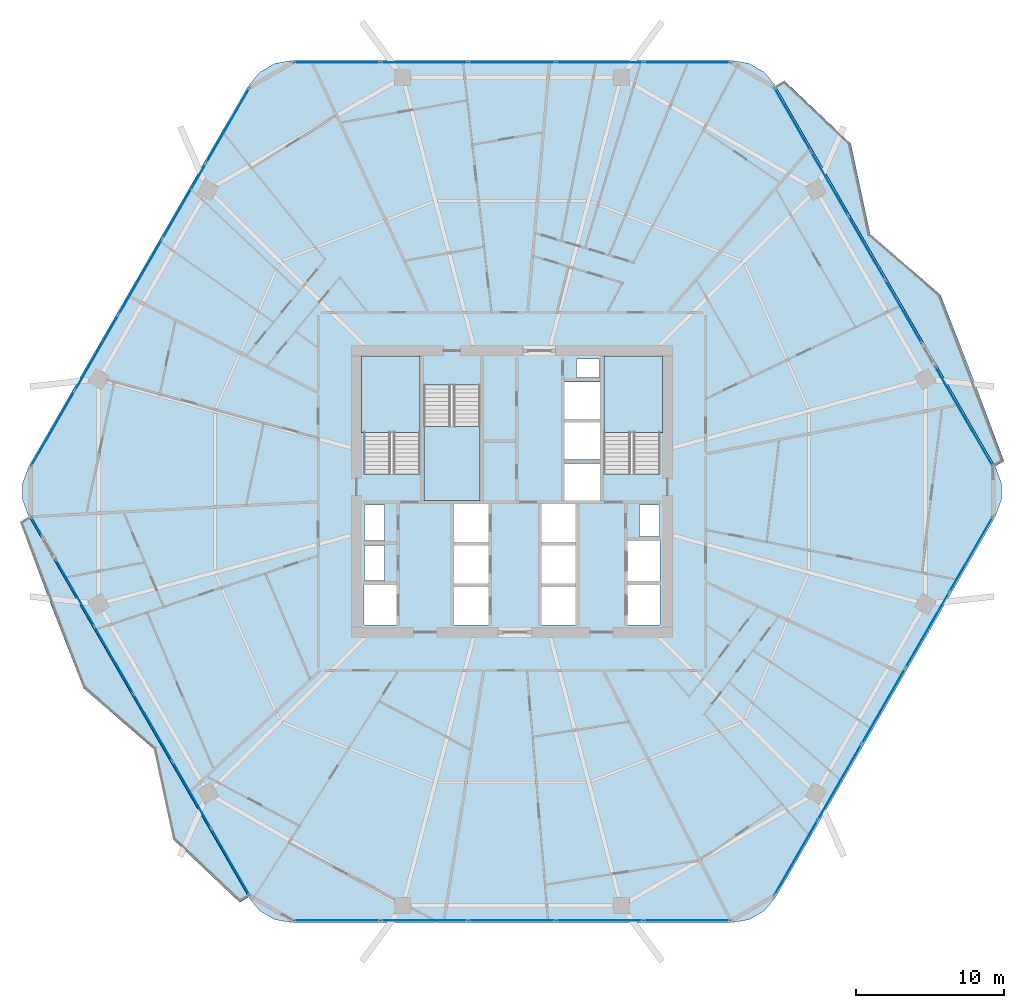
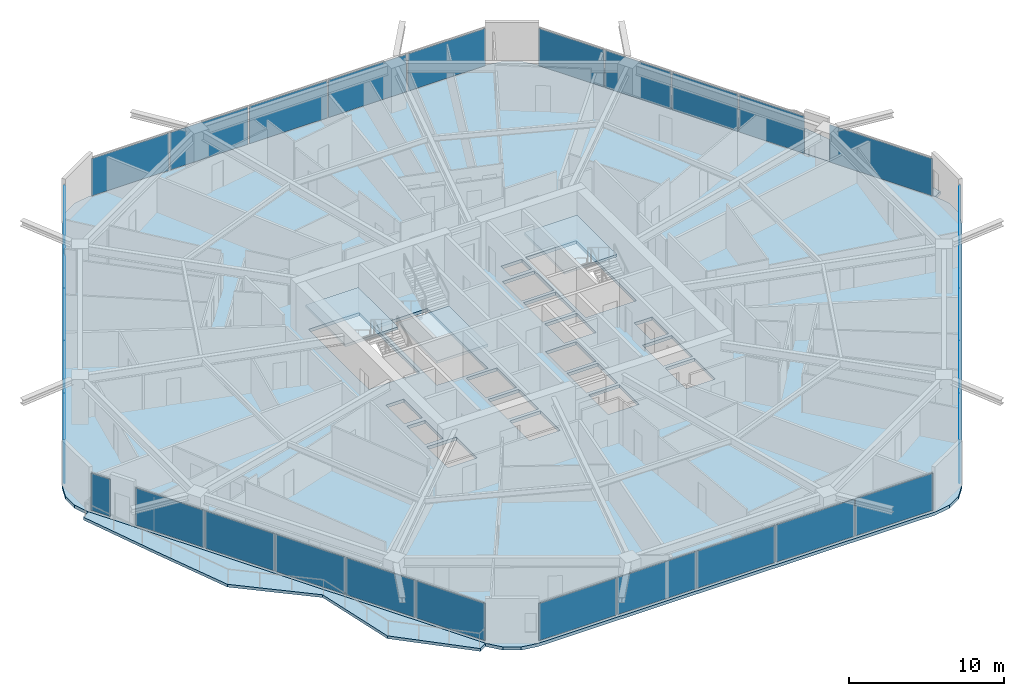
# One storey, part 20 of 29: 31 plates, 6 slabs, 11 elements without a shape of their own.
"""IFC4 building model written with IfcOpenShell, lengths in metres."""

from ifc_helpers import new_model, si_unit, direction, frame, origin, origin_2d, place, context, subcontext, project, spatial, polyline, rectangle, outline, extrude, material, layer, layer_set, type_object, element, aggregate, save


model = new_model("IFC4")

# Units and contexts
model_context = context("Model", 3, precision=1e-05, world=origin(), true_north=direction((0.0, 1.0)))
body_context = subcontext(model_context, "Body", "Model", "MODEL_VIEW")
ifc_project = project(units=[si_unit("LENGTHUNIT", "METRE"), si_unit("AREAUNIT", "SQUARE_METRE"), si_unit("VOLUMEUNIT", "CUBIC_METRE"), si_unit("PLANEANGLEUNIT", "RADIAN"), si_unit("MASSUNIT", "GRAM", prefix="KILO")], contexts=[model_context])

# Site, building, storey
site_placement = place(None, origin())
site = spatial("IfcSite", under=ifc_project, at=site_placement, CompositionType="ELEMENT")
building_placement = place(site_placement, origin())
building = spatial("IfcBuilding", under=site, at=building_placement, Name="Zuhravey Tower", CompositionType="ELEMENT")
storey_placement = place(building_placement, frame((0.0, 0.0, 134.199951171875)))
storey = spatial("IfcBuildingStorey", under=building, at=storey_placement, Name="L33", CompositionType="ELEMENT", Elevation=134.199951171875)

# Slabs
ifc_material_1 = material(Name="Concrete C50/60", Category="concrete")
ifc_layer_1 = layer(ifc_material_1, 0.25)
ifc_layer_set_1 = layer_set([ifc_layer_1], Name="Concrete C50/60")
slab_type_1 = type_object("IfcSlabType", Name="Residential Acoustic Slab 250", PredefinedType="FLOOR", material=ifc_layer_set_1)
slab_1_placement = place(storey_placement, frame((0.0, 0.0, -0.25)))
element("IfcSlab", 1, at=slab_1_placement, inside=storey, type_object=slab_type_1, Name="L33 Floor Slab FS25", PredefinedType="FLOOR", context=body_context, shape_type="SweptSolid", body=[
    extrude(outline(polyline([(68.618408203125, 30.300048828125), (69.0224609375, 31.40966796875), (69.0224609375, 32.59033203125), (68.618408203125, 33.699951171875), (53.781494140625, 59.3984375), (53.0224609375, 60.302978515625), (52.0, 60.893310546875), (50.8369140625, 61.098388671875), (21.1630859375, 61.098388671875), (20.0, 60.893310546875), (18.9775390625, 60.302978515625), (18.218505859375, 59.3984375), (3.381591796875, 33.699951171875), (2.9775390625, 32.59033203125), (2.9775390625, 31.40966796875), (3.381591796875, 30.300048828125), (18.218505859375, 4.6015625), (18.9775390625, 3.697021484375), (20.0, 3.106689453125), (21.1630859375, 2.901611328125), (50.8369140625, 2.901611328125), (52.0, 3.106689453125), (53.0224609375, 3.697021484375), (53.781494140625, 4.6015625), (68.618408203125, 30.300048828125)]), holes=[polyline([(29.800048828125, 33.20068359375), (29.800048828125, 41.0), (26.0, 41.0), (26.0, 33.20068359375), (29.800048828125, 33.20068359375)]), polyline([(46.0, 33.20068359375), (46.0, 41.0), (42.199951171875, 41.0), (42.199951171875, 33.20068359375), (46.0, 33.20068359375)]), polyline([(30.050048828125, 39.199462890625), (30.050048828125, 31.39990234375), (33.85009765625, 31.39990234375), (33.85009765625, 39.199462890625), (30.050048828125, 39.199462890625)]), polyline([(32.10009765625, 23.0), (34.39990234375, 23.0), (34.39990234375, 25.550048828125), (32.10009765625, 25.550048828125), (32.10009765625, 23.0)]), polyline([(32.10009765625, 25.800048828125), (34.39990234375, 25.800048828125), (34.39990234375, 28.35009765625), (32.10009765625, 28.35009765625), (32.10009765625, 25.800048828125)]), polyline([(32.10009765625, 28.60009765625), (34.39990234375, 28.60009765625), (34.39990234375, 31.14990234375), (32.10009765625, 31.14990234375), (32.10009765625, 28.60009765625)]), polyline([(38.0, 23.0), (40.300048828125, 23.0), (40.300048828125, 25.550048828125), (38.0, 25.550048828125), (38.0, 23.0)]), polyline([(38.0, 25.800048828125), (40.300048828125, 25.800048828125), (40.300048828125, 28.35009765625), (38.0, 28.35009765625), (38.0, 25.800048828125)]), polyline([(38.0, 28.60009765625), (40.300048828125, 28.60009765625), (40.300048828125, 31.14990234375), (38.0, 31.14990234375), (38.0, 28.60009765625)]), polyline([(39.550048828125, 31.39990234375), (41.949951171875, 31.39990234375), (41.949951171875, 33.89990234375), (39.550048828125, 33.89990234375), (39.550048828125, 31.39990234375)]), polyline([(39.550048828125, 34.14990234375), (41.949951171875, 34.14990234375), (41.949951171875, 36.64990234375), (39.550048828125, 36.64990234375), (39.550048828125, 34.14990234375)]), polyline([(39.550048828125, 36.89990234375), (41.949951171875, 36.89990234375), (41.949951171875, 39.39990234375), (39.550048828125, 39.39990234375), (39.550048828125, 36.89990234375)]), polyline([(26.0, 23.0), (28.199951171875, 23.0), (28.199951171875, 25.699951171875), (26.0, 25.699951171875), (26.0, 23.0)]), polyline([(43.800048828125, 23.0), (46.0, 23.0), (46.0, 25.699951171875), (43.800048828125, 25.699951171875), (43.800048828125, 23.0)]), polyline([(43.800048828125, 25.949951171875), (46.0, 25.949951171875), (46.0, 28.64990234375), (43.800048828125, 28.64990234375), (43.800048828125, 25.949951171875)]), polyline([(26.050048828125, 26.0), (27.39990234375, 26.0), (27.39990234375, 28.35009765625), (26.050048828125, 28.35009765625), (26.050048828125, 26.0)]), polyline([(26.050048828125, 28.699951171875), (27.39990234375, 28.699951171875), (27.39990234375, 31.10009765625), (26.050048828125, 31.10009765625), (26.050048828125, 28.699951171875)]), polyline([(44.60009765625, 28.949951171875), (45.949951171875, 28.949951171875), (45.949951171875, 31.10009765625), (44.60009765625, 31.10009765625), (44.60009765625, 28.949951171875)]), polyline([(40.35009765625, 39.699951171875), (41.89990234375, 39.699951171875), (41.89990234375, 40.949951171875), (40.35009765625, 40.949951171875), (40.35009765625, 39.699951171875)])]), origin(), (0.0, 0.0, 1.0), 0.25),
])
ifc_material_2 = material(Name="Concrete C40/50", Category="concrete")
ifc_layer_2 = layer(ifc_material_2, 0.219970703125)
ifc_layer_set_2 = layer_set([ifc_layer_2], Name="Concrete C40/50")
slab_type_2 = type_object("IfcSlabType", Name="Sinusoidal Residential Wave Balcony 220", PredefinedType="FLOOR", material=ifc_layer_set_2)
slab_2_placement = place(storey_placement, frame((0.0, 0.0, -0.219970703125)))
element("IfcSlab", 2, at=slab_2_placement, inside=storey, type_object=slab_type_2, Name="L33 Face 4 Wave Balcony WB22", PredefinedType="FLOOR", context=body_context, shape_type="SweptSolid", body=[
    extrude(outline(polyline([(3.398681640625, 30.300048828125), (18.227294921875, 4.616455078125), (17.62109375, 4.2666015625), (13.13134765625, 8.523193359375), (11.82470703125, 14.617919921875), (7.080078125, 18.7275390625), (4.902587890625, 24.319091796875), (2.79248046875, 29.949951171875), (3.398681640625, 30.300048828125)])), origin(), (0.0, 0.0, 1.0), 0.219970703125),
])
slab_3_placement = place(storey_placement, frame((0.0, 0.0, -0.219970703125)))
element("IfcSlab", 3, at=slab_3_placement, inside=storey, type_object=slab_type_2, Name="L33 Face 1 Wave Balcony WB22", PredefinedType="FLOOR", context=body_context, shape_type="SweptSolid", body=[
    extrude(outline(polyline([(68.601318359375, 33.699951171875), (53.772705078125, 59.383544921875), (54.37890625, 59.7333984375), (58.86865234375, 55.476806640625), (60.17529296875, 49.382080078125), (64.919921875, 45.2724609375), (67.097412109375, 39.680908203125), (69.20751953125, 34.050048828125), (68.601318359375, 33.699951171875)])), origin(), (0.0, 0.0, 1.0), 0.219970703125),
])

# Stair, slab
stair_type = type_object("IfcStairType", Name="Housing Storey Stair Assembly 3800", PredefinedType="HALF_TURN_STAIR", material=ifc_material_2)
stair_1_placement = place(storey_placement, origin())
stair_1 = element("IfcStair", 4, at=stair_1_placement, inside=storey, type_object=stair_type, Name="L33 Core Exit Stair ST1", PredefinedType="HALF_TURN_STAIR")
ifc_layer_3 = layer(ifc_material_2, 0.199951171875)
ifc_layer_set_3 = layer_set([ifc_layer_3], Name="Concrete C40/50")
slab_type_3 = type_object("IfcSlabType", Name="Stair Landing Slab 200", PredefinedType="LANDING", material=ifc_layer_set_3)
slab_4_placement = place(storey_placement, frame((0.0, 0.0, 1.699951171875)))
slab_4 = element("IfcSlab", 5, at=slab_4_placement, type_object=slab_type_3, Name="ST1 landing 1", PredefinedType="LANDING", context=body_context, shape_type="SweptSolid", body=[
    extrude(outline(polyline([(29.800048828125, 36.0), (29.800048828125, 41.14794921875), (25.85205078125, 41.14794921875), (25.85205078125, 36.0), (29.800048828125, 36.0)])), origin(), (0.0, 0.0, 1.0), 0.2001953125),
])
aggregate(stair_1, [slab_4])

stair_2_placement = place(storey_placement, origin())
stair_2 = element("IfcStair", 6, at=stair_2_placement, inside=storey, type_object=stair_type, Name="L33 Core Exit Stair ST2", PredefinedType="HALF_TURN_STAIR")
slab_5_placement = place(storey_placement, frame((0.0, 0.0, 1.699951171875)))
slab_5 = element("IfcSlab", 7, at=slab_5_placement, type_object=slab_type_3, Name="ST2 landing 1", PredefinedType="LANDING", context=body_context, shape_type="SweptSolid", body=[
    extrude(outline(polyline([(46.14794921875, 36.0), (46.14794921875, 41.14794921875), (42.199951171875, 41.14794921875), (42.199951171875, 36.0), (46.14794921875, 36.0)])), origin(), (0.0, 0.0, 1.0), 0.2001953125),
])
aggregate(stair_2, [slab_5])

stair_3_placement = place(storey_placement, origin())
stair_3 = element("IfcStair", 8, at=stair_3_placement, inside=storey, type_object=stair_type, Name="L33 Core Exit Stair ST3", PredefinedType="HALF_TURN_STAIR")
slab_6_placement = place(storey_placement, frame((0.0, 0.0, 1.699951171875)))
slab_6 = element("IfcSlab", 9, at=slab_6_placement, type_object=slab_type_3, Name="ST3 landing 1", PredefinedType="LANDING", context=body_context, shape_type="SweptSolid", body=[
    extrude(outline(polyline([(30.050048828125, 36.39990234375), (30.050048828125, 31.39990234375), (33.85009765625, 31.39990234375), (33.85009765625, 36.39990234375), (30.050048828125, 36.39990234375)])), origin(), (0.0, 0.0, 1.0), 0.2001953125),
])
aggregate(stair_3, [slab_6])

# Curtain wall, plates
ifc_material_3 = material(Name="Thermally broken anodised aluminium", Category="aluminium")
curtain_wall_type = type_object("IfcCurtainWallType", Name="Zone 1-2 Residential Curtain Wall CW3", PredefinedType="NOTDEFINED", material=ifc_material_3)
curtain_wall_1_placement = place(storey_placement, origin())
curtain_wall_1 = element("IfcCurtainWall", 10, at=curtain_wall_1_placement, inside=storey, type_object=curtain_wall_type, Name="L33 CW3 CW-L33-F6-1", PredefinedType="NOTDEFINED")
ifc_material_4 = material(Name="Triple low-E insulated vision glass", Category="glass")
ifc_layer_4 = layer(ifc_material_4, 0.0419921875)
ifc_layer_set_4 = layer_set([ifc_layer_4], Name="Triple low-E insulated vision glass")
plate_type = type_object("IfcPlateType", Name="Triple Low-E Vision Panel", PredefinedType="CURTAIN_PANEL", material=ifc_layer_set_4)
plate_1_placement = place(storey_placement, frame((66.9873046875, 27.754638671875, 0.090087890625), z_axis=(0.0, 0.0, 1.0), x_axis=(-0.499999794119, -0.86602552265, 0.0)))
plate_1 = element("IfcPlate", 11, at=plate_1_placement, type_object=plate_type, Name="CW3 panel 1.1", PredefinedType="CURTAIN_PANEL", context=body_context, shape_type="SweptSolid", body=[
    extrude(rectangle(XDim=5.784912109375, YDim=0.0419921875, at=origin_2d()), origin(), (0.0, 0.0, 1.0), 2.94189453125),
])
plate_2_placement = place(storey_placement, frame((64.03857421875, 22.6474609375, 0.090087890625), z_axis=(0.0, 0.0, 1.0), x_axis=(-0.499999794119, -0.86602552265, 0.0)))
plate_2 = element("IfcPlate", 12, at=plate_2_placement, type_object=plate_type, Name="CW3 panel 2.1", PredefinedType="CURTAIN_PANEL", context=body_context, shape_type="SweptSolid", body=[
    extrude(rectangle(XDim=5.829833984375, YDim=0.0419921875, at=origin_2d()), origin(), (0.0, 0.0, 1.0), 2.94189453125),
])
plate_3_placement = place(storey_placement, frame((61.078857421875, 17.520751953125, 0.090087890625), z_axis=(0.0, 0.0, 1.0), x_axis=(-0.499999794119, -0.86602552265, 0.0)))
plate_3 = element("IfcPlate", 13, at=plate_3_placement, type_object=plate_type, Name="CW3 panel 3.1", PredefinedType="CURTAIN_PANEL", context=body_context, shape_type="SweptSolid", body=[
    extrude(rectangle(XDim=5.829833984375, YDim=0.0419921875, at=origin_2d()), origin(), (0.0, 0.0, 1.0), 2.94189453125),
])
plate_4_placement = place(storey_placement, frame((58.118896484375, 12.39404296875, 0.090087890625), z_axis=(0.0, 0.0, 1.0), x_axis=(-0.499999794119, -0.86602552265, 0.0)))
plate_4 = element("IfcPlate", 14, at=plate_4_placement, type_object=plate_type, Name="CW3 panel 4.1", PredefinedType="CURTAIN_PANEL", context=body_context, shape_type="SweptSolid", body=[
    extrude(rectangle(XDim=5.829833984375, YDim=0.0419921875, at=origin_2d()), origin(), (0.0, 0.0, 1.0), 2.94189453125),
])
plate_5_placement = place(storey_placement, frame((55.170166015625, 7.286865234375, 0.090087890625), z_axis=(0.0, 0.0, 1.0), x_axis=(-0.499999794119, -0.86602552265, 0.0)))
plate_5 = element("IfcPlate", 15, at=plate_5_placement, type_object=plate_type, Name="CW3 panel 5.1", PredefinedType="CURTAIN_PANEL", context=body_context, shape_type="SweptSolid", body=[
    extrude(rectangle(XDim=5.784912109375, YDim=0.0419921875, at=origin_2d()), origin(), (0.0, 0.0, 1.0), 2.94189453125),
])
aggregate(curtain_wall_1, [plate_1, plate_2, plate_3, plate_4, plate_5])

curtain_wall_2_placement = place(storey_placement, origin())
curtain_wall_2 = element("IfcCurtainWall", 16, at=curtain_wall_2_placement, inside=storey, type_object=curtain_wall_type, Name="L33 CW3 CW-L33-F5-1", PredefinedType="NOTDEFINED")
plate_6_placement = place(storey_placement, frame((47.817138671875, 3.04150390625, 0.090087890625), z_axis=(0.0, 0.0, 1.0), x_axis=(-1.0, 0.0, 0.0)))
plate_6 = element("IfcPlate", 17, at=plate_6_placement, type_object=plate_type, Name="CW3 panel 1.1", PredefinedType="CURTAIN_PANEL", context=body_context, shape_type="SweptSolid", body=[
    extrude(rectangle(XDim=5.784912109375, YDim=0.0419921875, at=origin_2d()), origin(), (0.0, 0.0, 1.0), 2.94189453125),
])
plate_7_placement = place(storey_placement, frame((41.919921875, 3.04150390625, 0.090087890625), z_axis=(0.0, 0.0, 1.0), x_axis=(-1.0, 0.0, 0.0)))
plate_7 = element("IfcPlate", 18, at=plate_7_placement, type_object=plate_type, Name="CW3 panel 2.1", PredefinedType="CURTAIN_PANEL", context=body_context, shape_type="SweptSolid", body=[
    extrude(rectangle(XDim=5.829833984375, YDim=0.0419921875, at=origin_2d()), origin(), (0.0, 0.0, 1.0), 2.94189453125),
])
plate_8_placement = place(storey_placement, frame((36.0, 3.04150390625, 0.090087890625), z_axis=(0.0, 0.0, 1.0), x_axis=(-1.0, 0.0, 0.0)))
plate_8 = element("IfcPlate", 19, at=plate_8_placement, type_object=plate_type, Name="CW3 panel 3.1", PredefinedType="CURTAIN_PANEL", context=body_context, shape_type="SweptSolid", body=[
    extrude(rectangle(XDim=5.829833984375, YDim=0.0419921875, at=origin_2d()), origin(), (0.0, 0.0, 1.0), 2.94189453125),
])
plate_9_placement = place(storey_placement, frame((30.080078125, 3.04150390625, 0.090087890625), z_axis=(0.0, 0.0, 1.0), x_axis=(-1.0, 0.0, 0.0)))
plate_9 = element("IfcPlate", 20, at=plate_9_placement, type_object=plate_type, Name="CW3 panel 4.1", PredefinedType="CURTAIN_PANEL", context=body_context, shape_type="SweptSolid", body=[
    extrude(rectangle(XDim=5.829833984375, YDim=0.0419921875, at=origin_2d()), origin(), (0.0, 0.0, 1.0), 2.94189453125),
])
plate_10_placement = place(storey_placement, frame((24.182861328125, 3.04150390625, 0.090087890625), z_axis=(0.0, 0.0, 1.0), x_axis=(-1.0, 0.0, 0.0)))
plate_10 = element("IfcPlate", 21, at=plate_10_placement, type_object=plate_type, Name="CW3 panel 5.1", PredefinedType="CURTAIN_PANEL", context=body_context, shape_type="SweptSolid", body=[
    extrude(rectangle(XDim=5.784912109375, YDim=0.0419921875, at=origin_2d()), origin(), (0.0, 0.0, 1.0), 2.94189453125),
])
aggregate(curtain_wall_2, [plate_6, plate_7, plate_8, plate_9, plate_10])

curtain_wall_3_placement = place(storey_placement, origin())
curtain_wall_3 = element("IfcCurtainWall", 22, at=curtain_wall_3_placement, inside=storey, type_object=curtain_wall_type, Name="L33 CW3 CW-L33-F4-1", PredefinedType="NOTDEFINED")
plate_11_placement = place(storey_placement, frame((16.995849609375, 6.99951171875, 0.090087890625), z_axis=(0.0, 0.0, 1.0), x_axis=(-0.499998253839, 0.866026411928, 0.0)))
plate_11 = element("IfcPlate", 23, at=plate_11_placement, type_object=plate_type, Name="CW3 panel 1.1", PredefinedType="CURTAIN_PANEL", context=body_context, shape_type="SweptSolid", body=[
    extrude(rectangle(XDim=5.12109375, YDim=0.0419921875, at=origin_2d()), origin(), (0.0, 0.0, 1.0), 2.94189453125),
])
plate_12_placement = place(storey_placement, frame((14.37890625, 11.531982421875, 0.090087890625), z_axis=(0.0, 0.0, 1.0), x_axis=(-0.499998253839, 0.866026411928, 0.0)))
plate_12 = element("IfcPlate", 24, at=plate_12_placement, type_object=plate_type, Name="CW3 panel 2.1", PredefinedType="CURTAIN_PANEL", context=body_context, shape_type="SweptSolid", body=[
    extrude(rectangle(XDim=5.166015625, YDim=0.0419921875, at=origin_2d()), origin(), (0.0, 0.0, 1.0), 2.94189453125),
])
plate_13_placement = place(storey_placement, frame((11.7509765625, 16.083740234375, 0.090087890625), z_axis=(0.0, 0.0, 1.0), x_axis=(-0.499998253839, 0.866026411928, 0.0)))
plate_13 = element("IfcPlate", 25, at=plate_13_placement, type_object=plate_type, Name="CW3 panel 3.1", PredefinedType="CURTAIN_PANEL", context=body_context, shape_type="SweptSolid", body=[
    extrude(rectangle(XDim=5.166015625, YDim=0.0419921875, at=origin_2d()), origin(), (0.0, 0.0, 1.0), 2.94189453125),
])
plate_14_placement = place(storey_placement, frame((9.122802734375, 20.6357421875, 0.090087890625), z_axis=(0.0, 0.0, 1.0), x_axis=(-0.499998253839, 0.866026411928, 0.0)))
plate_14 = element("IfcPlate", 26, at=plate_14_placement, type_object=plate_type, Name="CW3 panel 4.1", PredefinedType="CURTAIN_PANEL", context=body_context, shape_type="SweptSolid", body=[
    extrude(rectangle(XDim=5.166015625, YDim=0.0419921875, at=origin_2d()), origin(), (0.0, 0.0, 1.0), 2.94189453125),
])
plate_15_placement = place(storey_placement, frame((6.506103515625, 25.168212890625, 0.090087890625), z_axis=(0.0, 0.0, 1.0), x_axis=(-0.499998253839, 0.866026411928, 0.0)))
plate_15 = element("IfcPlate", 27, at=plate_15_placement, type_object=plate_type, Name="CW3 panel 5.1", PredefinedType="CURTAIN_PANEL", context=body_context, shape_type="SweptSolid", body=[
    extrude(rectangle(XDim=5.12109375, YDim=0.0419921875, at=origin_2d()), origin(), (0.0, 0.0, 1.0), 2.94189453125),
])
aggregate(curtain_wall_3, [plate_11, plate_12, plate_13, plate_14, plate_15])

# Curtain wall, plate
curtain_wall_4_placement = place(storey_placement, origin())
curtain_wall_4 = element("IfcCurtainWall", 28, at=curtain_wall_4_placement, inside=storey, type_object=curtain_wall_type, Name="L33 CW3 CW-L33-F4-2", PredefinedType="NOTDEFINED")
plate_16_placement = place(storey_placement, frame((3.92626953125, 29.63671875, 0.090087890625), z_axis=(0.0, 0.0, 1.0), x_axis=(-0.500013033618, 0.866017878691, 0.0)))
plate_16 = element("IfcPlate", 29, at=plate_16_placement, type_object=plate_type, Name="CW3 panel 1.1", PredefinedType="CURTAIN_PANEL", context=body_context, shape_type="SweptSolid", body=[
    extrude(rectangle(XDim=1.4384765625, YDim=0.0419921875, at=origin_2d()), origin(), (0.0, 0.0, 1.0), 2.94189453125),
])
aggregate(curtain_wall_4, [plate_16])

# Curtain wall, plates
curtain_wall_5_placement = place(storey_placement, origin())
curtain_wall_5 = element("IfcCurtainWall", 30, at=curtain_wall_5_placement, inside=storey, type_object=curtain_wall_type, Name="L33 CW3 CW-L33-F3-1", PredefinedType="NOTDEFINED")
plate_17_placement = place(storey_placement, frame((5.0126953125, 36.245361328125, 0.090087890625), z_axis=(0.0, 0.0, 1.0), x_axis=(0.499999794119, 0.86602552265, 0.0)))
plate_17 = element("IfcPlate", 31, at=plate_17_placement, type_object=plate_type, Name="CW3 panel 1.1", PredefinedType="CURTAIN_PANEL", context=body_context, shape_type="SweptSolid", body=[
    extrude(rectangle(XDim=5.784912109375, YDim=0.0419921875, at=origin_2d()), origin(), (0.0, 0.0, 1.0), 2.94189453125),
])
plate_18_placement = place(storey_placement, frame((7.96142578125, 41.3525390625, 0.090087890625), z_axis=(0.0, 0.0, 1.0), x_axis=(0.499999794119, 0.86602552265, 0.0)))
plate_18 = element("IfcPlate", 32, at=plate_18_placement, type_object=plate_type, Name="CW3 panel 2.1", PredefinedType="CURTAIN_PANEL", context=body_context, shape_type="SweptSolid", body=[
    extrude(rectangle(XDim=5.829833984375, YDim=0.0419921875, at=origin_2d()), origin(), (0.0, 0.0, 1.0), 2.94189453125),
])
plate_19_placement = place(storey_placement, frame((10.921142578125, 46.479248046875, 0.090087890625), z_axis=(0.0, 0.0, 1.0), x_axis=(0.499999794119, 0.86602552265, 0.0)))
plate_19 = element("IfcPlate", 33, at=plate_19_placement, type_object=plate_type, Name="CW3 panel 3.1", PredefinedType="CURTAIN_PANEL", context=body_context, shape_type="SweptSolid", body=[
    extrude(rectangle(XDim=5.829833984375, YDim=0.0419921875, at=origin_2d()), origin(), (0.0, 0.0, 1.0), 2.94189453125),
])
plate_20_placement = place(storey_placement, frame((13.881103515625, 51.60595703125, 0.090087890625), z_axis=(0.0, 0.0, 1.0), x_axis=(0.499999794119, 0.86602552265, 0.0)))
plate_20 = element("IfcPlate", 34, at=plate_20_placement, type_object=plate_type, Name="CW3 panel 4.1", PredefinedType="CURTAIN_PANEL", context=body_context, shape_type="SweptSolid", body=[
    extrude(rectangle(XDim=5.829833984375, YDim=0.0419921875, at=origin_2d()), origin(), (0.0, 0.0, 1.0), 2.94189453125),
])
plate_21_placement = place(storey_placement, frame((16.829833984375, 56.713134765625, 0.090087890625), z_axis=(0.0, 0.0, 1.0), x_axis=(0.499999794119, 0.86602552265, 0.0)))
plate_21 = element("IfcPlate", 35, at=plate_21_placement, type_object=plate_type, Name="CW3 panel 5.1", PredefinedType="CURTAIN_PANEL", context=body_context, shape_type="SweptSolid", body=[
    extrude(rectangle(XDim=5.784912109375, YDim=0.0419921875, at=origin_2d()), origin(), (0.0, 0.0, 1.0), 2.94189453125),
])
aggregate(curtain_wall_5, [plate_17, plate_18, plate_19, plate_20, plate_21])

curtain_wall_6_placement = place(storey_placement, origin())
curtain_wall_6 = element("IfcCurtainWall", 36, at=curtain_wall_6_placement, inside=storey, type_object=curtain_wall_type, Name="L33 CW3 CW-L33-F2-1", PredefinedType="NOTDEFINED")
plate_22_placement = place(storey_placement, frame((24.182861328125, 60.95849609375, 0.090087890625), z_axis=(0.0, 0.0, 1.0), x_axis=(1.0, 0.0, 0.0)))
plate_22 = element("IfcPlate", 37, at=plate_22_placement, type_object=plate_type, Name="CW3 panel 1.1", PredefinedType="CURTAIN_PANEL", context=body_context, shape_type="SweptSolid", body=[
    extrude(rectangle(XDim=5.784912109375, YDim=0.0419921875, at=origin_2d()), origin(), (0.0, 0.0, 1.0), 2.94189453125),
])
plate_23_placement = place(storey_placement, frame((30.080078125, 60.95849609375, 0.090087890625), z_axis=(0.0, 0.0, 1.0), x_axis=(1.0, 0.0, 0.0)))
plate_23 = element("IfcPlate", 38, at=plate_23_placement, type_object=plate_type, Name="CW3 panel 2.1", PredefinedType="CURTAIN_PANEL", context=body_context, shape_type="SweptSolid", body=[
    extrude(rectangle(XDim=5.829833984375, YDim=0.0419921875, at=origin_2d()), origin(), (0.0, 0.0, 1.0), 2.94189453125),
])
plate_24_placement = place(storey_placement, frame((36.0, 60.95849609375, 0.090087890625), z_axis=(0.0, 0.0, 1.0), x_axis=(1.0, 0.0, 0.0)))
plate_24 = element("IfcPlate", 39, at=plate_24_placement, type_object=plate_type, Name="CW3 panel 3.1", PredefinedType="CURTAIN_PANEL", context=body_context, shape_type="SweptSolid", body=[
    extrude(rectangle(XDim=5.829833984375, YDim=0.0419921875, at=origin_2d()), origin(), (0.0, 0.0, 1.0), 2.94189453125),
])
plate_25_placement = place(storey_placement, frame((41.919921875, 60.95849609375, 0.090087890625), z_axis=(0.0, 0.0, 1.0), x_axis=(1.0, 0.0, 0.0)))
plate_25 = element("IfcPlate", 40, at=plate_25_placement, type_object=plate_type, Name="CW3 panel 4.1", PredefinedType="CURTAIN_PANEL", context=body_context, shape_type="SweptSolid", body=[
    extrude(rectangle(XDim=5.829833984375, YDim=0.0419921875, at=origin_2d()), origin(), (0.0, 0.0, 1.0), 2.94189453125),
])
plate_26_placement = place(storey_placement, frame((47.817138671875, 60.95849609375, 0.090087890625), z_axis=(0.0, 0.0, 1.0), x_axis=(1.0, 0.0, 0.0)))
plate_26 = element("IfcPlate", 41, at=plate_26_placement, type_object=plate_type, Name="CW3 panel 5.1", PredefinedType="CURTAIN_PANEL", context=body_context, shape_type="SweptSolid", body=[
    extrude(rectangle(XDim=5.784912109375, YDim=0.0419921875, at=origin_2d()), origin(), (0.0, 0.0, 1.0), 2.94189453125),
])
aggregate(curtain_wall_6, [plate_22, plate_23, plate_24, plate_25, plate_26])

curtain_wall_7_placement = place(storey_placement, origin())
curtain_wall_7 = element("IfcCurtainWall", 42, at=curtain_wall_7_placement, inside=storey, type_object=curtain_wall_type, Name="L33 CW3 CW-L33-F1-1", PredefinedType="NOTDEFINED")
plate_27_placement = place(storey_placement, frame((54.941650390625, 57.10888671875, 0.090087890625), z_axis=(0.0, 0.0, 1.0), x_axis=(0.499998838201, -0.866026074549, 0.0)))
plate_27 = element("IfcPlate", 43, at=plate_27_placement, type_object=plate_type, Name="CW3 panel 1.1", PredefinedType="CURTAIN_PANEL", context=body_context, shape_type="SweptSolid", body=[
    extrude(rectangle(XDim=4.870849609375, YDim=0.0419921875, at=origin_2d()), origin(), (0.0, 0.0, 1.0), 2.94189453125),
])
plate_28_placement = place(storey_placement, frame((57.433349609375, 52.793212890625, 0.090087890625), z_axis=(0.0, 0.0, 1.0), x_axis=(0.499998838201, -0.866026074549, 0.0)))
plate_28 = element("IfcPlate", 44, at=plate_28_placement, type_object=plate_type, Name="CW3 panel 2.1", PredefinedType="CURTAIN_PANEL", context=body_context, shape_type="SweptSolid", body=[
    extrude(rectangle(XDim=4.916015625, YDim=0.0419921875, at=origin_2d()), origin(), (0.0, 0.0, 1.0), 2.94189453125),
])
plate_29_placement = place(storey_placement, frame((59.936279296875, 48.457763671875, 0.090087890625), z_axis=(0.0, 0.0, 1.0), x_axis=(0.499998838201, -0.866026074549, 0.0)))
plate_29 = element("IfcPlate", 45, at=plate_29_placement, type_object=plate_type, Name="CW3 panel 3.1", PredefinedType="CURTAIN_PANEL", context=body_context, shape_type="SweptSolid", body=[
    extrude(rectangle(XDim=4.916015625, YDim=0.0419921875, at=origin_2d()), origin(), (0.0, 0.0, 1.0), 2.94189453125),
])
plate_30_placement = place(storey_placement, frame((62.427978515625, 44.14208984375, 0.090087890625), z_axis=(0.0, 0.0, 1.0), x_axis=(0.499998838201, -0.866026074549, 0.0)))
plate_30 = element("IfcPlate", 46, at=plate_30_placement, type_object=plate_type, Name="CW3 panel 4.1", PredefinedType="CURTAIN_PANEL", context=body_context, shape_type="SweptSolid", body=[
    extrude(rectangle(XDim=4.870849609375, YDim=0.0419921875, at=origin_2d()), origin(), (0.0, 0.0, 1.0), 2.94189453125),
])
aggregate(curtain_wall_7, [plate_27, plate_28, plate_29, plate_30])

# Curtain wall, plate
curtain_wall_8_placement = place(storey_placement, origin())
curtain_wall_8 = element("IfcCurtainWall", 47, at=curtain_wall_8_placement, inside=storey, type_object=curtain_wall_type, Name="L33 CW3 CW-L33-F1-2", PredefinedType="NOTDEFINED")
plate_31_placement = place(storey_placement, frame((66.509765625, 37.072509765625, 0.090087890625), z_axis=(0.0, 0.0, 1.0), x_axis=(0.500005303978, -0.866022341509, 0.0)))
plate_31 = element("IfcPlate", 48, at=plate_31_placement, type_object=plate_type, Name="CW3 panel 1.1", PredefinedType="CURTAIN_PANEL", context=body_context, shape_type="SweptSolid", body=[
    extrude(rectangle(XDim=7.6953125, YDim=0.0419921875, at=origin_2d()), origin(), (0.0, 0.0, 1.0), 2.94189453125),
])
aggregate(curtain_wall_8, [plate_31])

save(model, "model.ifc")
